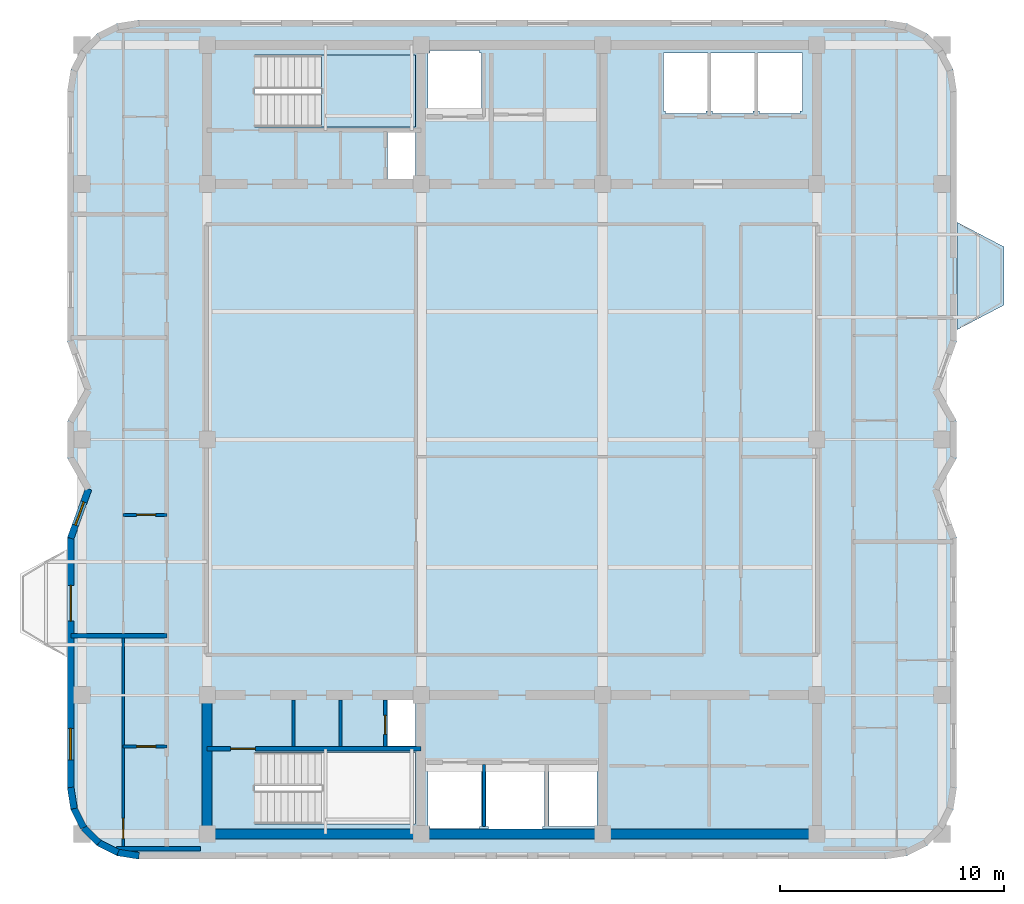
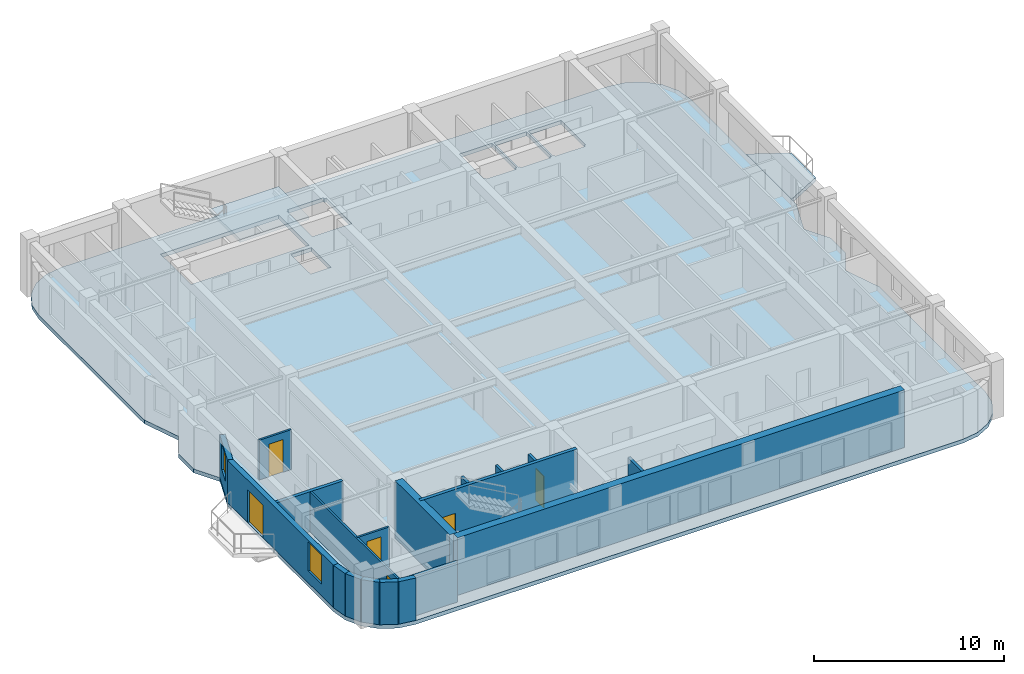
# One storey, part 2 of 9: 19 walls, 6 doors, 3 slabs, 2 windows, 8 openings, 1 element without a shape of its own.
"""IFC4 building model written with IfcOpenShell, lengths in metres."""

from ifc_helpers import new_model, si_unit, direction, frame, frame_2d, origin, place, context, subcontext, project, spatial, polyline, rectangle, outline, extrude, material, layer, layer_set, type_object, element, fill, aggregate, save


model = new_model("IFC4")

# Units and contexts
model_context = context("Model", 3, precision=1e-05, world=origin(), true_north=direction((0.0, 1.0)))
body_context = subcontext(model_context, "Body", "Model", "MODEL_VIEW")
ifc_project = project(units=[si_unit("LENGTHUNIT", "METRE"), si_unit("AREAUNIT", "SQUARE_METRE"), si_unit("VOLUMEUNIT", "CUBIC_METRE"), si_unit("PLANEANGLEUNIT", "RADIAN"), si_unit("MASSUNIT", "GRAM", prefix="KILO")], contexts=[model_context])

# Site, building, storey
site_placement = place(None, origin())
site = spatial("IfcSite", under=ifc_project, at=site_placement, CompositionType="ELEMENT")
building_placement = place(site_placement, origin())
building = spatial("IfcBuilding", under=site, at=building_placement, Name="Svetorya Sky Lyceum", CompositionType="ELEMENT")
storey_placement = place(building_placement, frame((0.0, 0.0, 267.60009765625)))
storey = spatial("IfcBuildingStorey", under=building, at=storey_placement, Name="L67", CompositionType="ELEMENT", Elevation=267.60009765625)

# Slab
ifc_material_1 = material(Name="Concrete C40/50", Category="concrete")
ifc_layer_1 = layer(ifc_material_1, 0.25)
ifc_layer_set_1 = layer_set([ifc_layer_1], Name="Concrete C40/50")
slab_type_1 = type_object("IfcSlabType", Name="SL-BAL-250", PredefinedType="FLOOR", material=ifc_layer_set_1)
slab_1_placement = place(storey_placement, frame((0.0, 0.0, -0.25)))
element("IfcSlab", 1, at=slab_1_placement, inside=storey, type_object=slab_type_1, Name="L67 Chamfered Loggia Balcony BAL-E1", PredefinedType="FLOOR", context=body_context, shape_type="SweptSolid", body=[
    extrude(outline(polyline([(59.050048828125, 33.10009765625), (61.14990234375, 34.199951171875), (61.14990234375, 36.800048828125), (59.050048828125, 37.89990234375), (59.050048828125, 33.10009765625)])), origin(), (0.0, 0.0, 1.0), 0.25),
])

# Stair, slab
stair_type = type_object("IfcStairType", Name="STR-ST-N", PredefinedType="HALF_TURN_STAIR", material=ifc_material_1)
stair_placement = place(storey_placement, origin())
stair = element("IfcStair", 2, at=stair_placement, inside=storey, type_object=stair_type, Name="L67 North Core Smoke-Free Exit Stair N3", PredefinedType="HALF_TURN_STAIR")
ifc_layer_2 = layer(ifc_material_1, 0.199951171875)
ifc_layer_set_2 = layer_set([ifc_layer_2], Name="Concrete C40/50")
slab_type_2 = type_object("IfcSlabType", Name="SL-STR-LAND-200", PredefinedType="LANDING", material=ifc_layer_set_2)
slab_2_placement = place(storey_placement, frame((0.0, 0.0, 1.64990234375)))
slab_2 = element("IfcSlab", 3, at=slab_2_placement, type_object=slab_type_2, Name="ST-N landing 1", PredefinedType="LANDING", context=body_context, shape_type="SweptSolid", body=[
    extrude(outline(polyline([(30.699951171875, 42.14990234375), (34.89990234375, 42.14990234375), (34.89990234375, 45.35009765625), (30.699951171875, 45.35009765625), (30.699951171875, 42.14990234375)])), origin(), (0.0, 0.0, 1.0), 0.199951171875),
])
aggregate(stair, [slab_2])

# Slab
ifc_layer_3 = layer(ifc_material_1, 0.25)
ifc_layer_set_3 = layer_set([ifc_layer_3], Name="Concrete C40/50")
slab_type_3 = type_object("IfcSlabType", Name="SL-TWR-250", PredefinedType="FLOOR", material=ifc_layer_set_3)
slab_3_placement = place(storey_placement, frame((0.0, 0.0, -0.25)))
element("IfcSlab", 4, at=slab_3_placement, inside=storey, type_object=slab_type_3, Name="L67 Structural Floor Slab", PredefinedType="FLOOR", context=body_context, shape_type="SweptSolid", body=[
    extrude(outline(polyline([(19.360107421875, 12.679931640625), (19.5166015625, 11.691162109375), (19.97119140625, 10.799072265625), (20.67919921875, 10.091064453125), (21.571044921875, 9.63671875), (22.56005859375, 9.47998046875), (55.840087890625, 9.47998046875), (56.828857421875, 9.63671875), (57.720947265625, 10.091064453125), (58.428955078125, 10.799072265625), (58.88330078125, 11.691162109375), (59.0400390625, 12.679931640625), (59.0400390625, 23.800048828125), (58.239990234375, 26.0), (59.0400390625, 27.39990234375), (59.0400390625, 29.0), (58.239990234375, 30.39990234375), (59.0400390625, 32.60009765625), (59.0400390625, 43.719970703125), (58.88330078125, 44.708984375), (58.428955078125, 45.600830078125), (57.720947265625, 46.308837890625), (56.828857421875, 46.763427734375), (55.840087890625, 46.919921875), (22.56005859375, 46.919921875), (21.571044921875, 46.763427734375), (20.67919921875, 46.308837890625), (19.97119140625, 45.600830078125), (19.5166015625, 44.708984375), (19.360107421875, 43.719970703125), (19.360107421875, 32.60009765625), (20.159912109375, 30.39990234375), (19.360107421875, 29.0), (19.360107421875, 27.39990234375), (20.159912109375, 26.0), (19.360107421875, 23.800048828125), (19.360107421875, 12.679931640625)]), holes=[polyline([(37.85009765625, 10.949951171875), (37.75, 10.949951171875), (37.75, 10.85009765625), (35.550048828125, 10.85009765625), (35.550048828125, 10.949951171875), (35.449951171875, 10.949951171875), (35.449951171875, 13.64990234375), (35.550048828125, 13.64990234375), (37.75, 13.64990234375), (37.85009765625, 13.64990234375), (37.85009765625, 10.949951171875)]), polyline([(38.14990234375, 10.800048828125), (38.14990234375, 10.949951171875), (38.050048828125, 10.949951171875), (38.050048828125, 13.64990234375), (38.14990234375, 13.64990234375), (38.14990234375, 13.699951171875), (40.550048828125, 13.699951171875), (40.550048828125, 13.64990234375), (40.64990234375, 13.64990234375), (40.64990234375, 10.949951171875), (40.550048828125, 10.949951171875), (40.550048828125, 10.800048828125), (38.14990234375, 10.800048828125)]), polyline([(27.719970703125, 11.050048828125), (27.719970703125, 14.25), (34.89990234375, 14.25), (34.89990234375, 11.050048828125), (27.719970703125, 11.050048828125)]), polyline([(33.64990234375, 14.52001953125), (33.64990234375, 16.580078125), (34.89990234375, 16.580078125), (34.89990234375, 14.52001953125), (33.64990234375, 14.52001953125)]), polyline([(33.64990234375, 39.820068359375), (33.64990234375, 41.89990234375), (34.89990234375, 41.89990234375), (34.89990234375, 39.820068359375), (33.64990234375, 39.820068359375)]), polyline([(27.719970703125, 42.14990234375), (27.719970703125, 45.35009765625), (34.89990234375, 45.35009765625), (34.89990234375, 42.14990234375), (27.719970703125, 42.14990234375)]), polyline([(37.75, 42.75), (35.550048828125, 42.75), (35.449951171875, 42.75), (35.449951171875, 45.449951171875), (35.550048828125, 45.449951171875), (35.550048828125, 45.550048828125), (37.75, 45.550048828125), (37.75, 45.449951171875), (37.85009765625, 45.449951171875), (37.85009765625, 42.75), (37.75, 42.75)]), polyline([(40.85009765625, 10.949951171875), (40.85009765625, 13.64990234375), (43.0, 13.64990234375), (43.0, 10.949951171875), (40.85009765625, 10.949951171875)]), polyline([(46.050048828125, 42.75), (46.050048828125, 42.85009765625), (45.949951171875, 42.85009765625), (45.949951171875, 45.449951171875), (46.050048828125, 45.449951171875), (47.85009765625, 45.449951171875), (47.949951171875, 45.449951171875), (47.949951171875, 42.85009765625), (47.85009765625, 42.85009765625), (47.85009765625, 42.75), (46.050048828125, 42.75)]), polyline([(50.050048828125, 42.85009765625), (49.949951171875, 42.85009765625), (49.949951171875, 42.75), (48.14990234375, 42.75), (48.14990234375, 42.85009765625), (48.050048828125, 42.85009765625), (48.050048828125, 45.449951171875), (48.14990234375, 45.449951171875), (49.949951171875, 45.449951171875), (50.050048828125, 45.449951171875), (50.050048828125, 42.85009765625)]), polyline([(52.14990234375, 42.85009765625), (52.050048828125, 42.85009765625), (52.050048828125, 42.75), (50.25, 42.75), (50.25, 42.85009765625), (50.14990234375, 42.85009765625), (50.14990234375, 45.449951171875), (50.25, 45.449951171875), (52.050048828125, 45.449951171875), (52.14990234375, 45.449951171875), (52.14990234375, 42.85009765625)])]), origin(), (0.0, 0.0, 1.0), 0.25),
])

# Walls
ifc_material_2 = material(Name="Concrete C50/60", Category="concrete")
ifc_layer_4 = layer(ifc_material_2, 0.449951171875)
ifc_layer_set_4 = layer_set([ifc_layer_4], Name="Concrete C50/60")
wall_type_1 = type_object("IfcWallType", Name="WL-CORE-450", PredefinedType="SHEAR", material=ifc_layer_set_4)
wall_1_placement = place(storey_placement, frame((52.800048828125, 10.60009765625, 0.0), z_axis=(0.0, 0.0, 1.0), x_axis=(-1.0, 0.0, 0.0)))
element("IfcWall", 5, at=wall_1_placement, inside=storey, type_object=wall_type_1, Name="L67 SC Outer Core Shear Wall", PredefinedType="SHEAR", context=body_context, shape_type="SweptSolid", body=[
    extrude(rectangle(XDim=27.199951171875, YDim=0.449951171875, at=frame_2d((13.60009765625, 0.0))), origin(), (0.0, 0.0, 1.0), 3.699951171875),
])
wall_2_placement = place(storey_placement, frame((25.60009765625, 10.824951171875, 0.0), z_axis=(0.0, 0.0, 1.0), x_axis=(0.0, 1.0, 0.0)))
element("IfcWall", 6, at=wall_2_placement, inside=storey, type_object=wall_type_1, Name="L67 SC West Core Shear Wall", PredefinedType="SHEAR", context=body_context, shape_type="SweptSolid", body=[
    extrude(rectangle(XDim=5.75, YDim=0.449951171875, at=frame_2d((2.875, 0.0))), origin(), (0.0, 0.0, 1.0), 3.699951171875),
])
ifc_material_3 = material(Name="Putilovo limestone rainscreen on autoclaved cellular masonry", Category="masonry")
ifc_layer_5 = layer(ifc_material_3, 0.300048828125)
ifc_layer_set_5 = layer_set([ifc_layer_5], Name="Putilovo limestone rainscreen on autoclaved cellular masonry")
wall_type_2 = type_object("IfcWallType", Name="WL-EXT-300", PredefinedType="SOLIDWALL", material=ifc_layer_set_5)
wall_3_placement = place(storey_placement, frame((19.510009765625, 12.679931640625, 0.0), z_axis=(0.0, 0.0, 1.0), x_axis=(0.156343617883, -0.987702725088, 0.0)))
element("IfcWall", 7, at=wall_3_placement, inside=storey, type_object=wall_type_2, Name="L67 Limestone Exterior Wall 1M", PredefinedType="SOLIDWALL", context=body_context, shape_type="SweptSolid", body=[
    extrude(rectangle(XDim=0.9541015625, YDim=0.300048828125, at=frame_2d((0.47705078125, 0.0))), origin(), (0.0, 0.0, 1.0), 2.72998046875),
])
for number, where, z_axis, x_axis, name in (
    (8, (19.6591796875, 11.737548828125, 0.0), (0.0, 0.0, 1.0), (0.454056065666, -0.890973113642, 0.0), "L67 Limestone Exterior Wall 2M"),
    (9, (20.092529296875, 10.88720703125, 0.0), (0.0, 0.0, 1.0), (0.707106781187, -0.707106781187, 0.0), "L67 Limestone Exterior Wall 3M"),
):
    element("IfcWall", number, at=place(storey_placement, frame(where, z_axis=z_axis, x_axis=x_axis)), inside=storey, type_object=wall_type_2, Name=name, PredefinedType="SOLIDWALL", context=body_context, shape_type="SweptSolid", body=[
        extrude(rectangle(XDim=0.954345703125, YDim=0.300048828125, at=frame_2d((0.47705078125, 0.0))), origin(), (0.0, 0.0, 1.0), 2.72998046875),
    ])
wall_4_placement = place(storey_placement, frame((20.767333984375, 10.21240234375, 0.0), z_axis=(0.0, 0.0, 1.0), x_axis=(0.891023873617, -0.45395644796, 0.0)))
element("IfcWall", 10, at=wall_4_placement, inside=storey, type_object=wall_type_2, Name="L67 Limestone Exterior Wall 4M", PredefinedType="SOLIDWALL", context=body_context, shape_type="SweptSolid", body=[
    extrude(rectangle(XDim=0.9541015625, YDim=0.300048828125, at=frame_2d((0.47705078125, 0.0))), origin(), (0.0, 0.0, 1.0), 2.72998046875),
])
wall_5_placement = place(storey_placement, frame((21.617431640625, 9.779296875, 0.0), z_axis=(0.0, 0.0, 1.0), x_axis=(0.987669453596, -0.156553666304, 0.0)))
element("IfcWall", 11, at=wall_5_placement, inside=storey, type_object=wall_type_2, Name="L67 Limestone Exterior Wall 5M", PredefinedType="SOLIDWALL", context=body_context, shape_type="SweptSolid", body=[
    extrude(rectangle(XDim=0.954345703125, YDim=0.300048828125, at=frame_2d((0.47705078125, 0.0))), origin(), (0.0, 0.0, 1.0), 2.72998046875),
])

# Wall, opening, window
wall_6_placement = place(storey_placement, frame((20.31005859375, 26.0, 0.0), z_axis=(0.0, 0.0, 1.0), x_axis=(-0.341768184638, -0.939784287999, 0.0)))
wall_6 = element("IfcWall", 12, at=wall_6_placement, inside=storey, type_object=wall_type_2, Name="L67 Limestone Exterior Wall 35M", PredefinedType="SOLIDWALL", context=body_context, shape_type="SweptSolid", body=[
    extrude(rectangle(XDim=2.3408203125, YDim=0.300048828125, at=frame_2d((1.17041015625, 0.0))), origin(), (0.0, 0.0, 1.0), 2.72998046875),
])
opening_1_placement = place(wall_6_placement, frame((0.62060546875, 0.0, 0.919921875)))
opening_1 = element("IfcOpeningElement", 13, at=opening_1_placement, cuts=wall_6, Name="Opening W-R3", PredefinedType="OPENING", context=body_context, shape_type="SweptSolid", body=[
    extrude(rectangle(XDim=1.10009765625, YDim=1.64990234375, at=frame_2d((0.550048828125, 0.824951171875))), frame((0.0, 0.159912109375, 0.0), z_axis=(0.0, -1.0, 0.0), x_axis=(1.0, 0.0, 0.0)), (0.0, 0.0, 1.0), 0.320068359375),
])
ifc_material_4 = material(Name="Thermally broken aluminium frame with triple low-E glazing", Category="aluminium")
window_type_1 = type_object("IfcWindowType", Name="WN-RES-110", PartitioningType="SINGLE_PANEL", PredefinedType="WINDOW", material=ifc_material_4)
window_1_placement = place(opening_1_placement, origin())
window_1 = element("IfcWindow", 14, at=window_1_placement, inside=storey, type_object=window_type_1, Name="L67 Facade Window W-R3.35M.1", OverallHeight=1.64990234375, OverallWidth=1.10009765625, PartitioningType="SINGLE_PANEL", PredefinedType="WINDOW", context=body_context, shape_type="SweptSolid", body=[
    extrude(rectangle(XDim=1.10009765625, YDim=1.64990234375, at=frame_2d((0.550048828125, 0.824951171875))), frame((0.0, 0.030029296875, 0.0), z_axis=(0.0, -1.0, 0.0), x_axis=(1.0, 0.0, 0.0)), (0.0, 0.0, 1.0), 0.06005859375),
])
fill(opening_1, window_1)

# Wall, openings, door, window
wall_7_placement = place(storey_placement, frame((19.510009765625, 23.800048828125, 0.0), z_axis=(0.0, 0.0, 1.0), x_axis=(0.0, -1.0, 0.0)))
wall_7 = element("IfcWall", 15, at=wall_7_placement, inside=storey, type_object=wall_type_2, Name="L67 Limestone Exterior Wall 36M", PredefinedType="SOLIDWALL", context=body_context, shape_type="SweptSolid", body=[
    extrude(rectangle(XDim=11.1201171875, YDim=0.300048828125, at=frame_2d((5.56005859375, 0.0))), origin(), (0.0, 0.0, 1.0), 2.72998046875),
])
opening_2_placement = place(wall_7_placement, frame((2.10009765625, 0.0, 0.0)))
opening_2 = element("IfcOpeningElement", 16, at=opening_2_placement, cuts=wall_7, Name="Opening D-BL1", PredefinedType="OPENING", context=body_context, shape_type="SweptSolid", body=[
    extrude(rectangle(XDim=1.60009765625, YDim=2.10009765625, at=frame_2d((0.800048828125, 1.050048828125))), frame((0.0, 0.159912109375, 0.0), z_axis=(0.0, -1.0, 0.0), x_axis=(1.0, 0.0, 0.0)), (0.0, 0.0, 1.0), 0.320068359375),
])
opening_3_placement = place(wall_7_placement, frame((8.4833984375, 0.0, 0.760009765625)))
opening_3 = element("IfcOpeningElement", 17, at=opening_3_placement, cuts=wall_7, Name="Opening W-R2", PredefinedType="OPENING", context=body_context, shape_type="SweptSolid", body=[
    extrude(rectangle(XDim=1.39990234375, YDim=1.85009765625, at=frame_2d((0.699951171875, 0.925048828125))), frame((0.0, 0.159912109375, 0.0), z_axis=(0.0, -1.0, 0.0), x_axis=(1.0, 0.0, 0.0)), (0.0, 0.0, 1.0), 0.320068359375),
])
ifc_material_5 = material(Name="Insulated glazed aluminium balcony door", Category="aluminium")
door_type_1 = type_object("IfcDoorType", Name="DR-BAL-1600", OperationType="DOUBLE_DOOR_SINGLE_SWING", PredefinedType="DOOR", material=ifc_material_5)
door_1_placement = place(opening_2_placement, origin())
door_1 = element("IfcDoor", 18, at=door_1_placement, inside=storey, type_object=door_type_1, Name="L67 Balcony BAL-W1 Door", OperationType="DOUBLE_DOOR_SINGLE_SWING", OverallHeight=2.10009765625, OverallWidth=1.60009765625, PredefinedType="DOOR", context=body_context, shape_type="SweptSolid", body=[
    extrude(rectangle(XDim=1.60009765625, YDim=2.10009765625, at=frame_2d((0.800048828125, 1.050048828125))), frame((0.0, 0.02490234375, 0.0), z_axis=(0.0, -1.0, 0.0), x_axis=(1.0, 0.0, 0.0)), (0.0, 0.0, 1.0), 0.050048828125),
])
fill(opening_2, door_1)
window_type_2 = type_object("IfcWindowType", Name="WN-RES-140", PartitioningType="SINGLE_PANEL", PredefinedType="WINDOW", material=ifc_material_4)
window_2_placement = place(opening_3_placement, origin())
window_2 = element("IfcWindow", 19, at=window_2_placement, inside=storey, type_object=window_type_2, Name="L67 Facade Window W-R2.36M.1", OverallHeight=1.85009765625, OverallWidth=1.39990234375, PartitioningType="SINGLE_PANEL", PredefinedType="WINDOW", context=body_context, shape_type="SweptSolid", body=[
    extrude(rectangle(XDim=1.39990234375, YDim=1.85009765625, at=frame_2d((0.699951171875, 0.925048828125))), frame((0.0, 0.030029296875, 0.0), z_axis=(0.0, -1.0, 0.0), x_axis=(1.0, 0.0, 0.0)), (0.0, 0.0, 1.0), 0.06005859375),
])
fill(opening_3, window_2)

# Wall, opening, door
ifc_material_6 = material(Name="Twin-stud galvanized framing with double fireboard", Category="gypsum")
ifc_layer_6 = layer(ifc_material_6, 0.1201171875)
ifc_layer_set_6 = layer_set([ifc_layer_6], Name="Twin-stud galvanized framing with double fireboard")
wall_type_3 = type_object("IfcWallType", Name="WL-PART-120", PredefinedType="PARTITIONING", material=ifc_layer_set_6)
wall_8_placement = place(storey_placement, frame((21.85009765625, 14.510009765625, 0.0), z_axis=(0.0, 0.0, 1.0), x_axis=(1.0, 0.0, 0.0)))
wall_8 = element("IfcWall", 20, at=wall_8_placement, inside=storey, type_object=wall_type_3, Name="L67 Interior Partition W1-WH1", PredefinedType="PARTITIONING", context=body_context, shape_type="SweptSolid", body=[
    extrude(rectangle(XDim=1.949951171875, YDim=0.1201171875, at=frame_2d((0.97509765625, 0.0))), origin(), (0.0, 0.0, 1.0), 2.559814453125),
])
opening_4_placement = place(wall_8_placement, frame((0.60009765625, 0.0, 0.0)))
opening_4 = element("IfcOpeningElement", 21, at=opening_4_placement, cuts=wall_8, Name="Opening D-BT1", PredefinedType="OPENING", context=body_context, shape_type="SweptSolid", body=[
    extrude(rectangle(XDim=0.85009765625, YDim=2.10009765625, at=frame_2d((0.425048828125, 1.050048828125))), frame((0.0, 0.070068359375, 0.0), z_axis=(0.0, -1.0, 0.0), x_axis=(1.0, 0.0, 0.0)), (0.0, 0.0, 1.0), 0.14013671875),
])
ifc_material_7 = material(Name="Moisture-resistant laminate bathroom door")
door_type_2 = type_object("IfcDoorType", Name="DR-WET-850", OperationType="SINGLE_SWING_LEFT", PredefinedType="DOOR", material=ifc_material_7)
door_2_placement = place(opening_4_placement, origin())
door_2 = element("IfcDoor", 22, at=door_2_placement, inside=storey, type_object=door_type_2, Name="Apartment W1 Bathroom Door", OperationType="SINGLE_SWING_LEFT", OverallHeight=2.10009765625, OverallWidth=0.85009765625, PredefinedType="DOOR", context=body_context, shape_type="SweptSolid", body=[
    extrude(rectangle(XDim=0.85009765625, YDim=2.10009765625, at=frame_2d((0.425048828125, 1.050048828125))), frame((0.0, 0.02490234375, 0.0), z_axis=(0.0, -1.0, 0.0), x_axis=(1.0, 0.0, 0.0)), (0.0, 0.0, 1.0), 0.050048828125),
])
fill(opening_4, door_2)

wall_9_placement = place(storey_placement, frame((21.85009765625, 9.989990234375, 0.0), z_axis=(0.0, 0.0, 1.0), x_axis=(0.0, 1.0, 0.0)))
wall_9 = element("IfcWall", 23, at=wall_9_placement, inside=storey, type_object=wall_type_3, Name="L67 Interior Partition W1-WV", PredefinedType="PARTITIONING", context=body_context, shape_type="SweptSolid", body=[
    extrude(rectangle(XDim=9.409912109375, YDim=0.1201171875, at=frame_2d((4.705078125, 0.0))), origin(), (0.0, 0.0, 1.0), 2.559814453125),
])
opening_5_placement = place(wall_9_placement, frame((0.409912109375, 0.0, 0.0)))
opening_5 = element("IfcOpeningElement", 24, at=opening_5_placement, cuts=wall_9, Name="Opening D-RM1", PredefinedType="OPENING", context=body_context, shape_type="SweptSolid", body=[
    extrude(rectangle(XDim=0.89990234375, YDim=2.10009765625, at=frame_2d((0.449951171875, 1.050048828125))), frame((0.0, 0.070068359375, 0.0), z_axis=(0.0, -1.0, 0.0), x_axis=(1.0, 0.0, 0.0)), (0.0, 0.0, 1.0), 0.14013671875),
])
ifc_material_8 = material(Name="Lacquered birch veneer internal door")
door_type_3 = type_object("IfcDoorType", Name="DR-INT-900", OperationType="SINGLE_SWING_LEFT", PredefinedType="DOOR", material=ifc_material_8)
door_3_placement = place(opening_5_placement, origin())
door_3 = element("IfcDoor", 25, at=door_3_placement, inside=storey, type_object=door_type_3, Name="Apartment W1 Living Door", OperationType="SINGLE_SWING_RIGHT", OverallHeight=2.10009765625, OverallWidth=0.89990234375, PredefinedType="DOOR", context=body_context, shape_type="SweptSolid", body=[
    extrude(rectangle(XDim=0.89990234375, YDim=2.10009765625, at=frame_2d((0.449951171875, 1.050048828125))), frame((0.0, 0.02490234375, 0.0), z_axis=(0.0, -1.0, 0.0), x_axis=(1.0, 0.0, 0.0)), (0.0, 0.0, 1.0), 0.050048828125),
])
fill(opening_5, door_3)

wall_10_placement = place(storey_placement, frame((21.85009765625, 24.840087890625, 0.0), z_axis=(0.0, 0.0, 1.0), x_axis=(1.0, 0.0, 0.0)))
wall_10 = element("IfcWall", 26, at=wall_10_placement, inside=storey, type_object=wall_type_3, Name="L67 Interior Partition W2-WH1", PredefinedType="PARTITIONING", context=body_context, shape_type="SweptSolid", body=[
    extrude(rectangle(XDim=1.949951171875, YDim=0.1201171875, at=frame_2d((0.97509765625, 0.0))), origin(), (0.0, 0.0, 1.0), 2.559814453125),
])
opening_6_placement = place(wall_10_placement, frame((0.60009765625, 0.0, 0.0)))
opening_6 = element("IfcOpeningElement", 27, at=opening_6_placement, cuts=wall_10, Name="Opening D-BT1", PredefinedType="OPENING", context=body_context, shape_type="SweptSolid", body=[
    extrude(rectangle(XDim=0.85009765625, YDim=2.10009765625, at=frame_2d((0.425048828125, 1.050048828125))), frame((0.0, 0.070068359375, 0.0), z_axis=(0.0, -1.0, 0.0), x_axis=(1.0, 0.0, 0.0)), (0.0, 0.0, 1.0), 0.14013671875),
])
door_4_placement = place(opening_6_placement, origin())
door_4 = element("IfcDoor", 28, at=door_4_placement, inside=storey, type_object=door_type_2, Name="Apartment W2 Bathroom Door", OperationType="SINGLE_SWING_RIGHT", OverallHeight=2.10009765625, OverallWidth=0.85009765625, PredefinedType="DOOR", context=body_context, shape_type="SweptSolid", body=[
    extrude(rectangle(XDim=0.85009765625, YDim=2.10009765625, at=frame_2d((0.425048828125, 1.050048828125))), frame((0.0, 0.02490234375, 0.0), z_axis=(0.0, -1.0, 0.0), x_axis=(1.0, 0.0, 0.0)), (0.0, 0.0, 1.0), 0.050048828125),
])
fill(opening_6, door_4)

# Walls
ifc_material_9 = material(Name="Autoclaved cellular masonry blockwork with acoustic render", Category="masonry")
ifc_layer_7 = layer(ifc_material_9, 0.14990234375)
ifc_layer_set_7 = layer_set([ifc_layer_7], Name="Autoclaved cellular masonry blockwork with acoustic render")
wall_type_4 = type_object("IfcWallType", Name="WL-PART-150", PredefinedType="PARTITIONING", material=ifc_layer_set_7)
for number, where, z_axis, x_axis, name in (
    (29, (29.449951171875, 14.5, 0.0), (0.0, 0.0, 1.0), (0.0, 1.0, 0.0), "L67 Interior Partition SC-SWD1"),
    (30, (31.550048828125, 14.5, 0.0), (0.0, 0.0, 1.0), (0.0, 1.0, 0.0), "L67 Interior Partition SC-SWD2"),
):
    element("IfcWall", number, at=place(storey_placement, frame(where, z_axis=z_axis, x_axis=x_axis)), inside=storey, type_object=wall_type_4, Name=name, PredefinedType="PARTITIONING", context=body_context, shape_type="SweptSolid", body=[
        extrude(rectangle(XDim=2.080078125, YDim=0.14990234375, at=frame_2d((1.0400390625, 0.0))), origin(), (0.0, 0.0, 1.0), 2.559814453125),
    ])

# Wall, opening, door
wall_11_placement = place(storey_placement, frame((33.550048828125, 14.5, 0.0), z_axis=(0.0, 0.0, 1.0), x_axis=(0.0, 1.0, 0.0)))
wall_11 = element("IfcWall", 31, at=wall_11_placement, inside=storey, type_object=wall_type_4, Name="L67 Interior Partition SC-SWD3", PredefinedType="PARTITIONING", context=body_context, shape_type="SweptSolid", body=[
    extrude(rectangle(XDim=2.080078125, YDim=0.14990234375, at=frame_2d((1.0400390625, 0.0))), origin(), (0.0, 0.0, 1.0), 2.559814453125),
])
opening_7_placement = place(wall_11_placement, frame((0.550048828125, 0.0, 0.0)))
opening_7 = element("IfcOpeningElement", 32, at=opening_7_placement, cuts=wall_11, Name="Opening D-SH1", PredefinedType="OPENING", context=body_context, shape_type="SweptSolid", body=[
    extrude(rectangle(XDim=0.85009765625, YDim=2.050048828125, at=frame_2d((0.425048828125, 1.02490234375))), frame((0.0, 0.0849609375, 0.0), z_axis=(0.0, -1.0, 0.0), x_axis=(1.0, 0.0, 0.0)), (0.0, 0.0, 1.0), 0.169921875),
])
ifc_material_10 = material(Name="Insulated galvanized riser inspection fire door")
door_type_4 = type_object("IfcDoorType", Name="DR-SHFT-850", OperationType="SINGLE_SWING_LEFT", PredefinedType="TRAPDOOR", material=ifc_material_10)
door_5_placement = place(opening_7_placement, origin())
door_5 = element("IfcDoor", 33, at=door_5_placement, inside=storey, type_object=door_type_4, Name="L67 South Riser Access Door", OperationType="SINGLE_SWING_RIGHT", OverallHeight=2.050048828125, OverallWidth=0.85009765625, PredefinedType="TRAPDOOR", context=body_context, shape_type="SweptSolid", body=[
    extrude(rectangle(XDim=0.85009765625, YDim=2.050048828125, at=frame_2d((0.425048828125, 1.02490234375))), frame((0.0, 0.02490234375, 0.0), z_axis=(0.0, -1.0, 0.0), x_axis=(1.0, 0.0, 0.0)), (0.0, 0.0, 1.0), 0.050048828125),
])
fill(opening_7, door_5)

# Walls
wall_12_placement = place(storey_placement, frame((37.949951171875, 10.949951171875, 0.0), z_axis=(0.0, 0.0, 1.0), x_axis=(0.0, 1.0, 0.0)))
element("IfcWall", 34, at=wall_12_placement, inside=storey, type_object=wall_type_4, Name="L67 Interior Partition SC-SHD1", PredefinedType="PARTITIONING", context=body_context, shape_type="SweptSolid", body=[
    extrude(rectangle(XDim=2.75, YDim=0.14990234375, at=frame_2d((1.375, 0.0))), origin(), (0.0, 0.0, 1.0), 2.559814453125),
])
ifc_material_11 = material(Name="Autoclaved cellular masonry blockwork with gypsum plaster", Category="masonry")
ifc_layer_8 = layer(ifc_material_11, 0.199951171875)
ifc_layer_set_8 = layer_set([ifc_layer_8], Name="Autoclaved cellular masonry blockwork with gypsum plaster")
wall_type_5 = type_object("IfcWallType", Name="WL-PART-200", PredefinedType="PARTITIONING", material=ifc_layer_set_8)
wall_13_placement = place(storey_placement, frame((19.530029296875, 19.43994140625, 0.0), z_axis=(0.0, 0.0, 1.0), x_axis=(1.0, 0.0, 0.0)))
element("IfcWall", 35, at=wall_13_placement, inside=storey, type_object=wall_type_5, Name="L67 Interior Partition W-PARTY-1", PredefinedType="PARTITIONING", context=body_context, shape_type="SweptSolid", body=[
    extrude(rectangle(XDim=4.27001953125, YDim=0.199951171875, at=frame_2d((2.135009765625, 0.0))), origin(), (0.0, 0.0, 1.0), 2.559814453125),
])
wall_14_placement = place(storey_placement, frame((21.5458984375, 9.949951171875, 0.0), z_axis=(0.0, 0.0, 1.0), x_axis=(1.0, 0.0, 0.0)))
element("IfcWall", 36, at=wall_14_placement, inside=storey, type_object=wall_type_5, Name="L67 Interior Partition W-CAP-S", PredefinedType="PARTITIONING", context=body_context, shape_type="SweptSolid", body=[
    extrude(rectangle(XDim=3.754150390625, YDim=0.199951171875, at=frame_2d((1.876953125, 0.0))), origin(), (0.0, 0.0, 1.0), 2.559814453125),
])

# Wall, opening, door
ifc_layer_9 = layer(ifc_material_2, 0.199951171875)
ifc_layer_set_9 = layer_set([ifc_layer_9], Name="Concrete C50/60")
wall_type_6 = type_object("IfcWallType", Name="WL-SHW-200", PredefinedType="SHEAR", material=ifc_layer_set_9)
wall_15_placement = place(storey_placement, frame((25.60009765625, 14.39990234375, 0.0), z_axis=(0.0, 0.0, 1.0), x_axis=(1.0, 0.0, 0.0)))
wall_15 = element("IfcWall", 37, at=wall_15_placement, inside=storey, type_object=wall_type_6, Name="L67 Structural Stair Shaft Wall SC-STW", PredefinedType="SHEAR", context=body_context, shape_type="SweptSolid", body=[
    extrude(rectangle(XDim=9.5498046875, YDim=0.199951171875, at=frame_2d((4.77490234375, 0.0))), origin(), (0.0, 0.0, 1.0), 3.699951171875),
])
opening_8_placement = place(wall_15_placement, frame((1.050048828125, 0.0, 0.0)))
opening_8 = element("IfcOpeningElement", 38, at=opening_8_placement, cuts=wall_15, Name="Opening D-ST1", PredefinedType="OPENING", context=body_context, shape_type="SweptSolid", body=[
    extrude(rectangle(XDim=1.10009765625, YDim=2.14990234375, at=frame_2d((0.550048828125, 1.074951171875))), frame((0.0, 0.10986328125, 0.0), z_axis=(0.0, -1.0, 0.0), x_axis=(1.0, 0.0, 0.0)), (0.0, 0.0, 1.0), 0.219970703125),
])
ifc_material_12 = material(Name="Powder-coated insulated galvanized stair fire door")
door_type_5 = type_object("IfcDoorType", Name="DR-FIRE-1100", OperationType="SINGLE_SWING_LEFT", PredefinedType="DOOR", material=ifc_material_12)
door_6_placement = place(opening_8_placement, origin())
door_6 = element("IfcDoor", 39, at=door_6_placement, inside=storey, type_object=door_type_5, Name="L67 Stair ST-S Vestibule Fire Door", OperationType="SINGLE_SWING_LEFT", OverallHeight=2.14990234375, OverallWidth=1.10009765625, PredefinedType="DOOR", context=body_context, shape_type="SweptSolid", body=[
    extrude(rectangle(XDim=1.10009765625, YDim=2.14990234375, at=frame_2d((0.550048828125, 1.074951171875))), frame((0.0, 0.02490234375, 0.0), z_axis=(0.0, -1.0, 0.0), x_axis=(1.0, 0.0, 0.0)), (0.0, 0.0, 1.0), 0.050048828125),
])
fill(opening_8, door_6)

save(model, "model.ifc")
